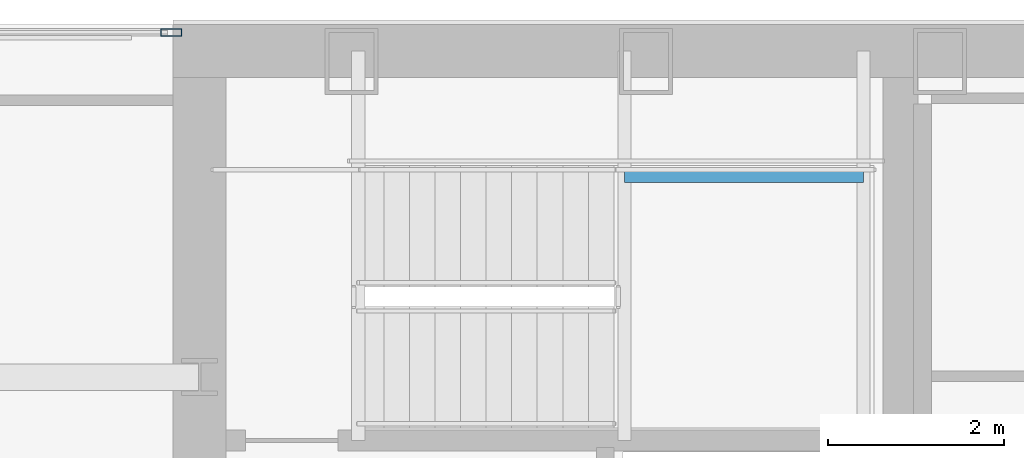
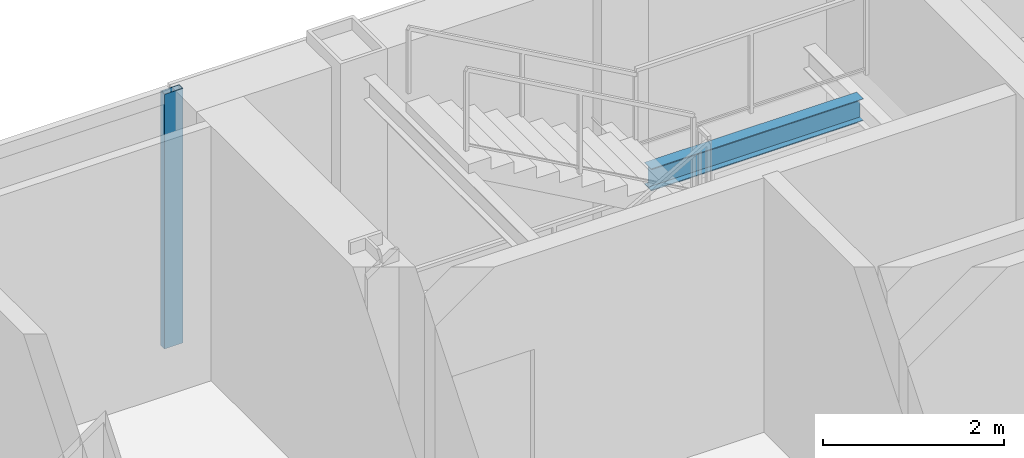
# One storey, part 20 of 29: 1 beam, 1 member, 1 element without a shape of its own.
"""IFC4 building model written with IfcOpenShell, lengths in metres."""

from ifc_helpers import new_model, si_unit, direction, frame, origin, origin_2d, place, context, subcontext, project, spatial, hollow_rectangle, i_section, extrude, material, material_profile, profile_set, type_object, element, aggregate, save


model = new_model("IFC4")

# Units and contexts
model_context = context("Model", 3, precision=1e-05, world=origin(), true_north=direction((0.0, 1.0)))
body_context = subcontext(model_context, "Body", "Model", "MODEL_VIEW")
ifc_project = project(units=[si_unit("LENGTHUNIT", "METRE"), si_unit("AREAUNIT", "SQUARE_METRE"), si_unit("VOLUMEUNIT", "CUBIC_METRE"), si_unit("PLANEANGLEUNIT", "RADIAN"), si_unit("MASSUNIT", "GRAM", prefix="KILO")], contexts=[model_context])

# Site, building, storey
site_placement = place(None, origin())
site = spatial("IfcSite", under=ifc_project, at=site_placement, CompositionType="ELEMENT")
building_placement = place(site_placement, origin())
building = spatial("IfcBuilding", under=site, at=building_placement, Name="Khoronbel Lancet Exchange", CompositionType="ELEMENT")
storey_placement = place(building_placement, frame((0.0, 0.0, 242.60009765625)))
storey = spatial("IfcBuildingStorey", under=building, at=storey_placement, Name="L62", CompositionType="ELEMENT", Elevation=242.60009765625)

# Beam
ifc_material_1 = material(Name="Steel S355", Category="steel")
ifc_material_profile_1 = material_profile(ifc_material_1, i_section(OverallWidth=0.14990234375, OverallDepth=0.300048828125, WebThickness=0.007080078125, FlangeThickness=0.0107421875, at=origin_2d()), Name="IPE 300")
ifc_profile_set_1 = profile_set([ifc_material_profile_1], Name="Steel S355")
beam_type = type_object("IfcBeamType", Name="BM-BJ8", PredefinedType="JOIST", material=ifc_profile_set_1)
beam_placement = place(storey_placement, frame((21.320068359375, 51.97998046875, 1.449951171875), z_axis=(1.0, 0.0, 0.0), x_axis=(0.0, 1.0, 0.0)))
element("IfcBeam", 1, at=beam_placement, inside=storey, type_object=beam_type, Name="Level L62 stair ST1 landing cross trimmer beam 1", PredefinedType="JOIST", context=body_context, shape_type="SweptSolid", body=[
    extrude(i_section(OverallWidth=0.14990234375, OverallDepth=0.300048828125, WebThickness=0.007080078125, FlangeThickness=0.0107421875, at=origin_2d()), origin(), (0.0, 0.0, 1.0), 2.7099609375),
])

# Curtain wall, member
ifc_material_2 = material(Name="Low-E Solar Control Insulating Glass", Category="glass")
curtain_wall_type = type_object("IfcCurtainWallType", Name="CW-3", PredefinedType="NOTDEFINED", material=ifc_material_2)
curtain_wall_placement = place(storey_placement, origin())
curtain_wall = element("IfcCurtainWall", 2, at=curtain_wall_placement, inside=storey, type_object=curtain_wall_type, Name="Unitised curtain wall CW-L62-NWFLK", PredefinedType="NOTDEFINED")
ifc_material_3 = material(Name="Bronze-Anodised Aluminium 6063-T6", Category="aluminium")
ifc_material_profile_2 = material_profile(ifc_material_3, hollow_rectangle(XDim=0.0849609375, YDim=0.239990234375, WallThickness=0.006103515625, at=origin_2d()), Name="ALU MULLION 85x240")
ifc_profile_set_2 = profile_set([ifc_material_profile_2], Name="Bronze-Anodised Aluminium 6063-T6")
member_type = type_object("IfcMemberType", Name="MEM-CWM1", PredefinedType="MULLION", material=ifc_profile_set_2)
member_placement = place(storey_placement, frame((16.177490234375, 53.610107421875, 0.0), z_axis=(0.0, 0.0, 1.0), x_axis=(0.0, -1.0, 0.0)))
member = element("IfcMember", 3, at=member_placement, type_object=member_type, Name="CW3 mullion 1", PredefinedType="MULLION", context=body_context, shape_type="SweptSolid", body=[
    extrude(hollow_rectangle(XDim=0.0849609375, YDim=0.239990234375, WallThickness=0.006103515625, at=origin_2d()), origin(), (0.0, 0.0, 1.0), 3.43994140625),
])
aggregate(curtain_wall, [member])

save(model, "model.ifc")
